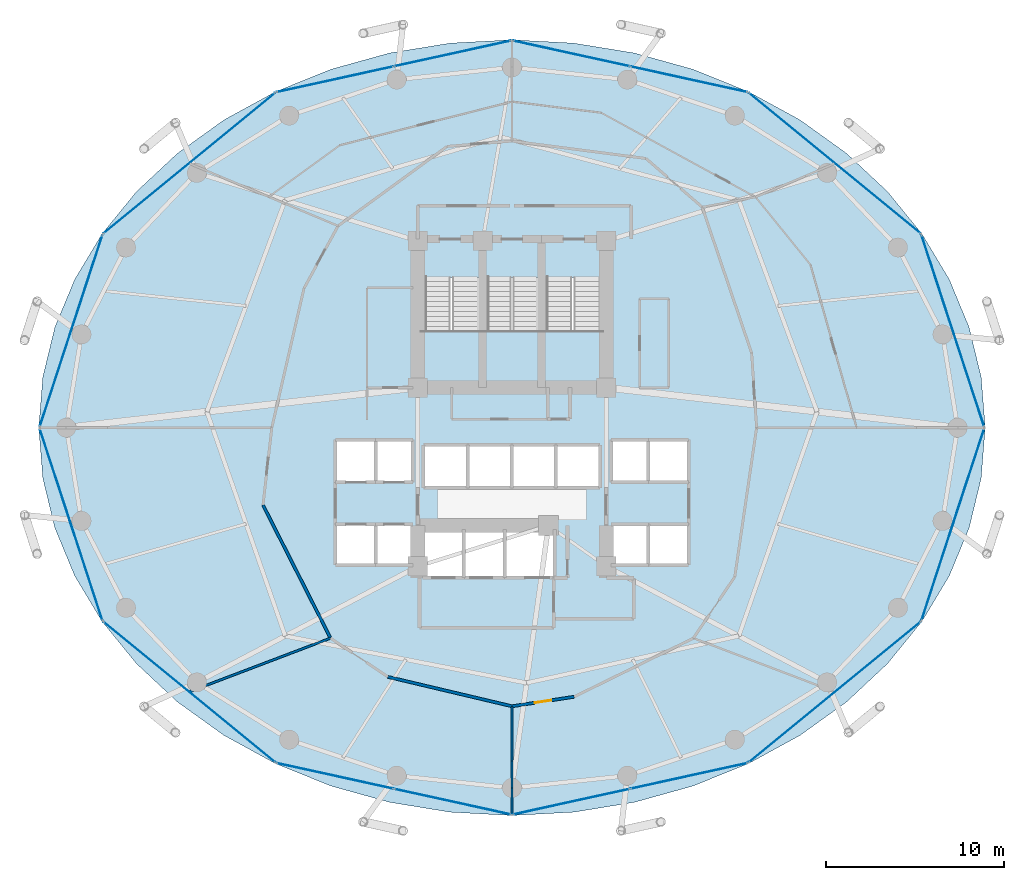
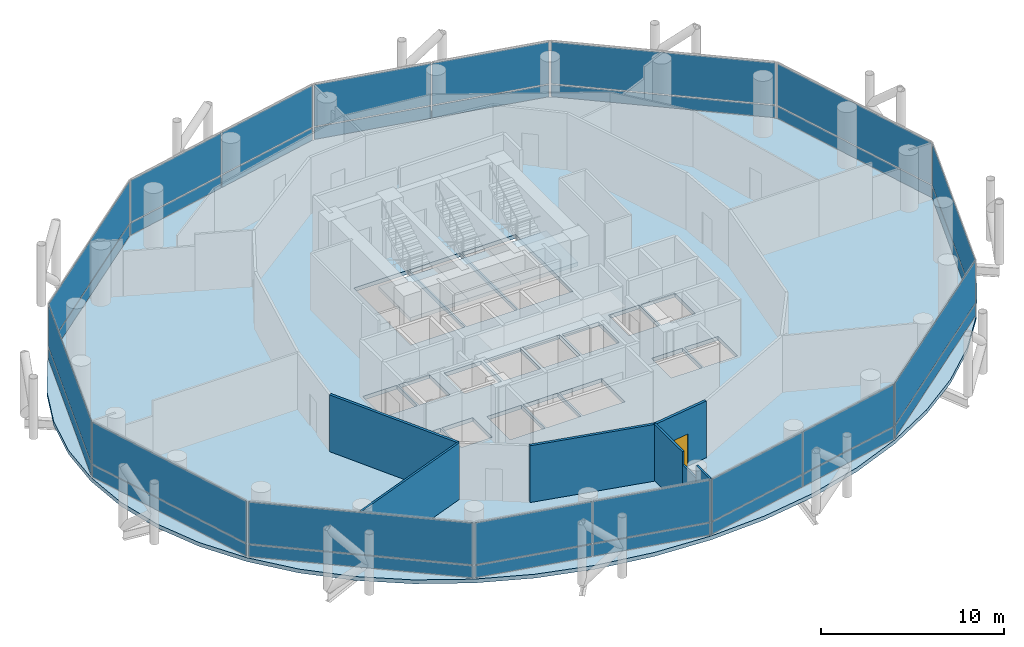
# One storey, part 20 of 25: 32 plates, 7 walls, 4 slabs, 1 door, 1 opening, 15 elements without a shape of their own.
"""IFC4 building model written with IfcOpenShell, lengths in metres."""

from ifc_helpers import new_model, si_unit, direction, frame, frame_2d, origin, origin_2d, place, context, subcontext, project, spatial, polyline, rectangle, outline, extrude, material, layer, layer_set, type_object, element, fill, aggregate, save


model = new_model("IFC4")

# Units and contexts
model_context = context("Model", 3, precision=1e-05, world=origin(), true_north=direction((0.0, 1.0)))
body_context = subcontext(model_context, "Body", "Model", "MODEL_VIEW")
ifc_project = project(units=[si_unit("LENGTHUNIT", "METRE"), si_unit("AREAUNIT", "SQUARE_METRE"), si_unit("VOLUMEUNIT", "CUBIC_METRE"), si_unit("PLANEANGLEUNIT", "RADIAN"), si_unit("MASSUNIT", "GRAM", prefix="KILO")], contexts=[model_context])

# Site, building, storey
site_placement = place(None, origin())
site = spatial("IfcSite", under=ifc_project, at=site_placement, CompositionType="ELEMENT")
building_placement = place(site_placement, origin())
building = spatial("IfcBuilding", under=site, at=building_placement, Name="Nuhasar Tower", CompositionType="ELEMENT")
storey_placement = place(building_placement, frame((0.0, 0.0, 45.300048828125)))
storey = spatial("IfcBuildingStorey", under=building, at=storey_placement, Name="L10", CompositionType="ELEMENT", Elevation=45.300048828125)

# Curtain wall, plate
ifc_material_1 = material(Name="Aluminium 6063-T6", Category="aluminium")
ifc_layer_1 = layer(ifc_material_1, 0.199951171875)
ifc_layer_set_1 = layer_set([ifc_layer_1], Name="Aluminium 6063-T6")
curtain_wall_type = type_object("IfcCurtainWallType", Name="CW-Z1-OFF", PredefinedType="NOTDEFINED", material=ifc_layer_set_1)
curtain_wall_1_placement = place(storey_placement, origin())
curtain_wall_1 = element("IfcCurtainWall", 1, at=curtain_wall_1_placement, inside=storey, type_object=curtain_wall_type, Name="L10 Unitised Curtain Wall 01", PredefinedType="NOTDEFINED")
ifc_material_2 = material(Name="Glass Double Low-E", Category="glass")
ifc_layer_2 = layer(ifc_material_2, 0.028076171875)
ifc_layer_set_2 = layer_set([ifc_layer_2], Name="Glass Double Low-E")
plate_type_1 = type_object("IfcPlateType", Name="CW-PANEL-GLZ", PredefinedType="CURTAIN_PANEL", material=ifc_layer_set_2)
plate_1_placement = place(storey_placement, frame((63.781005859375, 32.239990234375, 0.932373046875), z_axis=(0.0, 0.0, 1.0), x_axis=(-0.310823849997, 0.950467534571, 0.0)))
plate_1 = element("IfcPlate", 2, at=plate_1_placement, type_object=plate_type_1, Name="CW-Z1 panel 1.2", PredefinedType="CURTAIN_PANEL", context=body_context, shape_type="SweptSolid", body=[
    extrude(rectangle(XDim=11.31689453125, YDim=0.028076171875, at=origin_2d()), origin(), (0.0, 0.0, 1.0), 2.79248046875),
])

curtain_wall_2_placement = place(storey_placement, origin())
curtain_wall_2 = element("IfcCurtainWall", 3, at=curtain_wall_2_placement, inside=storey, type_object=curtain_wall_type, Name="L10 Unitised Curtain Wall 02", PredefinedType="NOTDEFINED")
plate_2_placement = place(storey_placement, frame((57.14111328125, 41.66259765625, 0.932373046875), z_axis=(0.0, 0.0, 1.0), x_axis=(-0.773542364946, 0.633744593376, 0.0)))
plate_2 = element("IfcPlate", 4, at=plate_2_placement, type_object=plate_type_1, Name="CW-Z1 panel 1.2", PredefinedType="CURTAIN_PANEL", context=body_context, shape_type="SweptSolid", body=[
    extrude(rectangle(XDim=12.438232421875, YDim=0.028076171875, at=origin_2d()), origin(), (0.0, 0.0, 1.0), 2.79248046875),
])

# Curtain wall, plates
curtain_wall_3_placement = place(storey_placement, origin())
curtain_wall_3 = element("IfcCurtainWall", 5, at=curtain_wall_3_placement, inside=storey, type_object=curtain_wall_type, Name="L10 Unitised Curtain Wall 03", PredefinedType="NOTDEFINED")
plate_3_placement = place(storey_placement, frame((48.944091796875, 46.377197265625, 0.932373046875), z_axis=(0.0, 0.0, 1.0), x_axis=(-0.976746221544, 0.214398737637, 0.0)))
plate_3 = element("IfcPlate", 6, at=plate_3_placement, type_object=plate_type_1, Name="CW-Z1 panel 1.2", PredefinedType="CURTAIN_PANEL", context=body_context, shape_type="SweptSolid", body=[
    extrude(rectangle(XDim=6.70068359375, YDim=0.028076171875, at=origin_2d()), origin(), (0.0, 0.0, 1.0), 2.79248046875),
])
plate_4_placement = place(storey_placement, frame((42.3359375, 47.827880859375, 0.932373046875), z_axis=(0.0, 0.0, 1.0), x_axis=(-0.976746221544, 0.214398737637, 0.0)))
plate_4 = element("IfcPlate", 7, at=plate_4_placement, type_object=plate_type_1, Name="CW-Z1 panel 2.2", PredefinedType="CURTAIN_PANEL", context=body_context, shape_type="SweptSolid", body=[
    extrude(rectangle(XDim=6.70068359375, YDim=0.028076171875, at=origin_2d()), origin(), (0.0, 0.0, 1.0), 2.79248046875),
])

curtain_wall_4_placement = place(storey_placement, origin())
curtain_wall_4 = element("IfcCurtainWall", 8, at=curtain_wall_4_placement, inside=storey, type_object=curtain_wall_type, Name="L10 Unitised Curtain Wall 04", PredefinedType="NOTDEFINED")
plate_5_placement = place(storey_placement, frame((35.6640625, 47.827880859375, 0.932373046875), z_axis=(0.0, 0.0, 1.0), x_axis=(-0.976746221544, -0.214398737637, 0.0)))
plate_5 = element("IfcPlate", 9, at=plate_5_placement, type_object=plate_type_1, Name="CW-Z1 panel 1.2", PredefinedType="CURTAIN_PANEL", context=body_context, shape_type="SweptSolid", body=[
    extrude(rectangle(XDim=6.70068359375, YDim=0.028076171875, at=origin_2d()), origin(), (0.0, 0.0, 1.0), 2.79248046875),
])
plate_6_placement = place(storey_placement, frame((29.055908203125, 46.377197265625, 0.932373046875), z_axis=(0.0, 0.0, 1.0), x_axis=(-0.976746221544, -0.214398737637, 0.0)))
plate_6 = element("IfcPlate", 10, at=plate_6_placement, type_object=plate_type_1, Name="CW-Z1 panel 2.2", PredefinedType="CURTAIN_PANEL", context=body_context, shape_type="SweptSolid", body=[
    extrude(rectangle(XDim=6.70068359375, YDim=0.028076171875, at=origin_2d()), origin(), (0.0, 0.0, 1.0), 2.79248046875),
])

# Curtain wall, plate
curtain_wall_5_placement = place(storey_placement, origin())
curtain_wall_5 = element("IfcCurtainWall", 11, at=curtain_wall_5_placement, inside=storey, type_object=curtain_wall_type, Name="L10 Unitised Curtain Wall 05", PredefinedType="NOTDEFINED")
plate_7_placement = place(storey_placement, frame((20.85888671875, 41.66259765625, 0.932373046875), z_axis=(0.0, 0.0, 1.0), x_axis=(-0.773542364946, -0.633744593376, 0.0)))
plate_7 = element("IfcPlate", 12, at=plate_7_placement, type_object=plate_type_1, Name="CW-Z1 panel 1.2", PredefinedType="CURTAIN_PANEL", context=body_context, shape_type="SweptSolid", body=[
    extrude(rectangle(XDim=12.438232421875, YDim=0.028076171875, at=origin_2d()), origin(), (0.0, 0.0, 1.0), 2.79248046875),
])

curtain_wall_6_placement = place(storey_placement, origin())
curtain_wall_6 = element("IfcCurtainWall", 13, at=curtain_wall_6_placement, inside=storey, type_object=curtain_wall_type, Name="L10 Unitised Curtain Wall 06", PredefinedType="NOTDEFINED")
plate_8_placement = place(storey_placement, frame((14.218994140625, 32.239990234375, 0.932373046875), z_axis=(0.0, 0.0, 1.0), x_axis=(-0.310823849997, -0.950467534571, 0.0)))
plate_8 = element("IfcPlate", 14, at=plate_8_placement, type_object=plate_type_1, Name="CW-Z1 panel 1.2", PredefinedType="CURTAIN_PANEL", context=body_context, shape_type="SweptSolid", body=[
    extrude(rectangle(XDim=11.31689453125, YDim=0.028076171875, at=origin_2d()), origin(), (0.0, 0.0, 1.0), 2.79248046875),
])

curtain_wall_7_placement = place(storey_placement, origin())
curtain_wall_7 = element("IfcCurtainWall", 15, at=curtain_wall_7_placement, inside=storey, type_object=curtain_wall_type, Name="L10 Unitised Curtain Wall 07", PredefinedType="NOTDEFINED")
plate_9_placement = place(storey_placement, frame((14.218994140625, 21.360107421875, 0.932373046875), z_axis=(0.0, 0.0, 1.0), x_axis=(0.310823849997, -0.950467534571, 0.0)))
plate_9 = element("IfcPlate", 16, at=plate_9_placement, type_object=plate_type_1, Name="CW-Z1 panel 1.2", PredefinedType="CURTAIN_PANEL", context=body_context, shape_type="SweptSolid", body=[
    extrude(rectangle(XDim=11.31689453125, YDim=0.028076171875, at=origin_2d()), origin(), (0.0, 0.0, 1.0), 2.79248046875),
])

curtain_wall_8_placement = place(storey_placement, origin())
curtain_wall_8 = element("IfcCurtainWall", 17, at=curtain_wall_8_placement, inside=storey, type_object=curtain_wall_type, Name="L10 Unitised Curtain Wall 08", PredefinedType="NOTDEFINED")
plate_10_placement = place(storey_placement, frame((20.85888671875, 11.9375, 0.932373046875), z_axis=(0.0, 0.0, 1.0), x_axis=(0.773542364946, -0.633744593376, 0.0)))
plate_10 = element("IfcPlate", 18, at=plate_10_placement, type_object=plate_type_1, Name="CW-Z1 panel 1.2", PredefinedType="CURTAIN_PANEL", context=body_context, shape_type="SweptSolid", body=[
    extrude(rectangle(XDim=12.438232421875, YDim=0.028076171875, at=origin_2d()), origin(), (0.0, 0.0, 1.0), 2.79248046875),
])

# Curtain wall, plates
curtain_wall_9_placement = place(storey_placement, origin())
curtain_wall_9 = element("IfcCurtainWall", 19, at=curtain_wall_9_placement, inside=storey, type_object=curtain_wall_type, Name="L10 Unitised Curtain Wall 09", PredefinedType="NOTDEFINED")
plate_11_placement = place(storey_placement, frame((29.055908203125, 7.22265625, 0.932373046875), z_axis=(0.0, 0.0, 1.0), x_axis=(0.976746221544, -0.214398737637, 0.0)))
plate_11 = element("IfcPlate", 20, at=plate_11_placement, type_object=plate_type_1, Name="CW-Z1 panel 1.2", PredefinedType="CURTAIN_PANEL", context=body_context, shape_type="SweptSolid", body=[
    extrude(rectangle(XDim=6.70068359375, YDim=0.028076171875, at=origin_2d()), origin(), (0.0, 0.0, 1.0), 2.79248046875),
])
plate_12_placement = place(storey_placement, frame((35.6640625, 5.772216796875, 0.932373046875), z_axis=(0.0, 0.0, 1.0), x_axis=(0.976746221544, -0.214398737637, 0.0)))
plate_12 = element("IfcPlate", 21, at=plate_12_placement, type_object=plate_type_1, Name="CW-Z1 panel 2.2", PredefinedType="CURTAIN_PANEL", context=body_context, shape_type="SweptSolid", body=[
    extrude(rectangle(XDim=6.70068359375, YDim=0.028076171875, at=origin_2d()), origin(), (0.0, 0.0, 1.0), 2.79248046875),
])

curtain_wall_10_placement = place(storey_placement, origin())
curtain_wall_10 = element("IfcCurtainWall", 22, at=curtain_wall_10_placement, inside=storey, type_object=curtain_wall_type, Name="L10 Unitised Curtain Wall 10", PredefinedType="NOTDEFINED")
plate_13_placement = place(storey_placement, frame((42.3359375, 5.772216796875, 0.932373046875), z_axis=(0.0, 0.0, 1.0), x_axis=(0.976746221544, 0.214398737637, 0.0)))
plate_13 = element("IfcPlate", 23, at=plate_13_placement, type_object=plate_type_1, Name="CW-Z1 panel 1.2", PredefinedType="CURTAIN_PANEL", context=body_context, shape_type="SweptSolid", body=[
    extrude(rectangle(XDim=6.70068359375, YDim=0.028076171875, at=origin_2d()), origin(), (0.0, 0.0, 1.0), 2.79248046875),
])
plate_14_placement = place(storey_placement, frame((48.944091796875, 7.22265625, 0.932373046875), z_axis=(0.0, 0.0, 1.0), x_axis=(0.976746221544, 0.214398737637, 0.0)))
plate_14 = element("IfcPlate", 24, at=plate_14_placement, type_object=plate_type_1, Name="CW-Z1 panel 2.2", PredefinedType="CURTAIN_PANEL", context=body_context, shape_type="SweptSolid", body=[
    extrude(rectangle(XDim=6.70068359375, YDim=0.028076171875, at=origin_2d()), origin(), (0.0, 0.0, 1.0), 2.79248046875),
])

# Curtain wall, plate
curtain_wall_11_placement = place(storey_placement, origin())
curtain_wall_11 = element("IfcCurtainWall", 25, at=curtain_wall_11_placement, inside=storey, type_object=curtain_wall_type, Name="L10 Unitised Curtain Wall 11", PredefinedType="NOTDEFINED")
plate_15_placement = place(storey_placement, frame((57.14111328125, 11.9375, 0.932373046875), z_axis=(0.0, 0.0, 1.0), x_axis=(0.773542364946, 0.633744593376, 0.0)))
plate_15 = element("IfcPlate", 26, at=plate_15_placement, type_object=plate_type_1, Name="CW-Z1 panel 1.2", PredefinedType="CURTAIN_PANEL", context=body_context, shape_type="SweptSolid", body=[
    extrude(rectangle(XDim=12.438232421875, YDim=0.028076171875, at=origin_2d()), origin(), (0.0, 0.0, 1.0), 2.79248046875),
])

curtain_wall_12_placement = place(storey_placement, origin())
curtain_wall_12 = element("IfcCurtainWall", 27, at=curtain_wall_12_placement, inside=storey, type_object=curtain_wall_type, Name="L10 Unitised Curtain Wall 12", PredefinedType="NOTDEFINED")
plate_16_placement = place(storey_placement, frame((63.781005859375, 21.360107421875, 0.932373046875), z_axis=(0.0, 0.0, 1.0), x_axis=(0.310823849997, 0.950467534571, 0.0)))
plate_16 = element("IfcPlate", 28, at=plate_16_placement, type_object=plate_type_1, Name="CW-Z1 panel 1.2", PredefinedType="CURTAIN_PANEL", context=body_context, shape_type="SweptSolid", body=[
    extrude(rectangle(XDim=11.31689453125, YDim=0.028076171875, at=origin_2d()), origin(), (0.0, 0.0, 1.0), 2.79248046875),
])

# Plate
ifc_material_3 = material(Name="Glass Spandrel", Category="glass")
ifc_layer_3 = layer(ifc_material_3, 0.035888671875)
ifc_layer_set_3 = layer_set([ifc_layer_3], Name="Glass Spandrel")
plate_type_2 = type_object("IfcPlateType", Name="CW-PANEL-SPN", PredefinedType="CURTAIN_PANEL", material=ifc_layer_set_3)
plate_17_placement = place(storey_placement, frame((63.781005859375, 32.239990234375, 0.06494140625), z_axis=(0.0, 0.0, 1.0), x_axis=(-0.310823849997, 0.950467534571, 0.0)))
plate_17 = element("IfcPlate", 29, at=plate_17_placement, type_object=plate_type_2, Name="CW-Z1 panel 1.1", PredefinedType="CURTAIN_PANEL", context=body_context, shape_type="SweptSolid", body=[
    extrude(rectangle(XDim=11.31689453125, YDim=0.035888671875, at=origin_2d()), origin(), (0.0, 0.0, 1.0), 0.802490234375),
])

aggregate(curtain_wall_1, [plate_17, plate_1])

plate_18_placement = place(storey_placement, frame((57.14111328125, 41.66259765625, 0.06494140625), z_axis=(0.0, 0.0, 1.0), x_axis=(-0.773542364946, 0.633744593376, 0.0)))
plate_18 = element("IfcPlate", 30, at=plate_18_placement, type_object=plate_type_2, Name="CW-Z1 panel 1.1", PredefinedType="CURTAIN_PANEL", context=body_context, shape_type="SweptSolid", body=[
    extrude(rectangle(XDim=12.438232421875, YDim=0.035888671875, at=origin_2d()), origin(), (0.0, 0.0, 1.0), 0.802490234375),
])

aggregate(curtain_wall_2, [plate_18, plate_2])

plate_19_placement = place(storey_placement, frame((48.944091796875, 46.377197265625, 0.06494140625), z_axis=(0.0, 0.0, 1.0), x_axis=(-0.976746221544, 0.214398737637, 0.0)))
plate_19 = element("IfcPlate", 31, at=plate_19_placement, type_object=plate_type_2, Name="CW-Z1 panel 1.1", PredefinedType="CURTAIN_PANEL", context=body_context, shape_type="SweptSolid", body=[
    extrude(rectangle(XDim=6.70068359375, YDim=0.035888671875, at=origin_2d()), origin(), (0.0, 0.0, 1.0), 0.802490234375),
])

plate_20_placement = place(storey_placement, frame((42.3359375, 47.827880859375, 0.06494140625), z_axis=(0.0, 0.0, 1.0), x_axis=(-0.976746221544, 0.214398737637, 0.0)))
plate_20 = element("IfcPlate", 32, at=plate_20_placement, type_object=plate_type_2, Name="CW-Z1 panel 2.1", PredefinedType="CURTAIN_PANEL", context=body_context, shape_type="SweptSolid", body=[
    extrude(rectangle(XDim=6.70068359375, YDim=0.035888671875, at=origin_2d()), origin(), (0.0, 0.0, 1.0), 0.802490234375),
])

aggregate(curtain_wall_3, [plate_19, plate_3, plate_20, plate_4])

plate_21_placement = place(storey_placement, frame((35.6640625, 47.827880859375, 0.06494140625), z_axis=(0.0, 0.0, 1.0), x_axis=(-0.976746221544, -0.214398737637, 0.0)))
plate_21 = element("IfcPlate", 33, at=plate_21_placement, type_object=plate_type_2, Name="CW-Z1 panel 1.1", PredefinedType="CURTAIN_PANEL", context=body_context, shape_type="SweptSolid", body=[
    extrude(rectangle(XDim=6.70068359375, YDim=0.035888671875, at=origin_2d()), origin(), (0.0, 0.0, 1.0), 0.802490234375),
])

plate_22_placement = place(storey_placement, frame((29.055908203125, 46.377197265625, 0.06494140625), z_axis=(0.0, 0.0, 1.0), x_axis=(-0.976746221544, -0.214398737637, 0.0)))
plate_22 = element("IfcPlate", 34, at=plate_22_placement, type_object=plate_type_2, Name="CW-Z1 panel 2.1", PredefinedType="CURTAIN_PANEL", context=body_context, shape_type="SweptSolid", body=[
    extrude(rectangle(XDim=6.70068359375, YDim=0.035888671875, at=origin_2d()), origin(), (0.0, 0.0, 1.0), 0.802490234375),
])

aggregate(curtain_wall_4, [plate_21, plate_5, plate_22, plate_6])

plate_23_placement = place(storey_placement, frame((20.85888671875, 41.66259765625, 0.06494140625), z_axis=(0.0, 0.0, 1.0), x_axis=(-0.773542364946, -0.633744593376, 0.0)))
plate_23 = element("IfcPlate", 35, at=plate_23_placement, type_object=plate_type_2, Name="CW-Z1 panel 1.1", PredefinedType="CURTAIN_PANEL", context=body_context, shape_type="SweptSolid", body=[
    extrude(rectangle(XDim=12.438232421875, YDim=0.035888671875, at=origin_2d()), origin(), (0.0, 0.0, 1.0), 0.802490234375),
])

aggregate(curtain_wall_5, [plate_23, plate_7])

plate_24_placement = place(storey_placement, frame((14.218994140625, 32.239990234375, 0.06494140625), z_axis=(0.0, 0.0, 1.0), x_axis=(-0.310823849997, -0.950467534571, 0.0)))
plate_24 = element("IfcPlate", 36, at=plate_24_placement, type_object=plate_type_2, Name="CW-Z1 panel 1.1", PredefinedType="CURTAIN_PANEL", context=body_context, shape_type="SweptSolid", body=[
    extrude(rectangle(XDim=11.31689453125, YDim=0.035888671875, at=origin_2d()), origin(), (0.0, 0.0, 1.0), 0.802490234375),
])

aggregate(curtain_wall_6, [plate_24, plate_8])

plate_25_placement = place(storey_placement, frame((14.218994140625, 21.360107421875, 0.06494140625), z_axis=(0.0, 0.0, 1.0), x_axis=(0.310823849997, -0.950467534571, 0.0)))
plate_25 = element("IfcPlate", 37, at=plate_25_placement, type_object=plate_type_2, Name="CW-Z1 panel 1.1", PredefinedType="CURTAIN_PANEL", context=body_context, shape_type="SweptSolid", body=[
    extrude(rectangle(XDim=11.31689453125, YDim=0.035888671875, at=origin_2d()), origin(), (0.0, 0.0, 1.0), 0.802490234375),
])

aggregate(curtain_wall_7, [plate_25, plate_9])

plate_26_placement = place(storey_placement, frame((20.85888671875, 11.9375, 0.06494140625), z_axis=(0.0, 0.0, 1.0), x_axis=(0.773542364946, -0.633744593376, 0.0)))
plate_26 = element("IfcPlate", 38, at=plate_26_placement, type_object=plate_type_2, Name="CW-Z1 panel 1.1", PredefinedType="CURTAIN_PANEL", context=body_context, shape_type="SweptSolid", body=[
    extrude(rectangle(XDim=12.438232421875, YDim=0.035888671875, at=origin_2d()), origin(), (0.0, 0.0, 1.0), 0.802490234375),
])

aggregate(curtain_wall_8, [plate_26, plate_10])

plate_27_placement = place(storey_placement, frame((29.055908203125, 7.22265625, 0.06494140625), z_axis=(0.0, 0.0, 1.0), x_axis=(0.976746221544, -0.214398737637, 0.0)))
plate_27 = element("IfcPlate", 39, at=plate_27_placement, type_object=plate_type_2, Name="CW-Z1 panel 1.1", PredefinedType="CURTAIN_PANEL", context=body_context, shape_type="SweptSolid", body=[
    extrude(rectangle(XDim=6.70068359375, YDim=0.035888671875, at=origin_2d()), origin(), (0.0, 0.0, 1.0), 0.802490234375),
])

plate_28_placement = place(storey_placement, frame((35.6640625, 5.772216796875, 0.06494140625), z_axis=(0.0, 0.0, 1.0), x_axis=(0.976746221544, -0.214398737637, 0.0)))
plate_28 = element("IfcPlate", 40, at=plate_28_placement, type_object=plate_type_2, Name="CW-Z1 panel 2.1", PredefinedType="CURTAIN_PANEL", context=body_context, shape_type="SweptSolid", body=[
    extrude(rectangle(XDim=6.70068359375, YDim=0.035888671875, at=origin_2d()), origin(), (0.0, 0.0, 1.0), 0.802490234375),
])

aggregate(curtain_wall_9, [plate_27, plate_11, plate_28, plate_12])

plate_29_placement = place(storey_placement, frame((42.3359375, 5.772216796875, 0.06494140625), z_axis=(0.0, 0.0, 1.0), x_axis=(0.976746221544, 0.214398737637, 0.0)))
plate_29 = element("IfcPlate", 41, at=plate_29_placement, type_object=plate_type_2, Name="CW-Z1 panel 1.1", PredefinedType="CURTAIN_PANEL", context=body_context, shape_type="SweptSolid", body=[
    extrude(rectangle(XDim=6.70068359375, YDim=0.035888671875, at=origin_2d()), origin(), (0.0, 0.0, 1.0), 0.802490234375),
])

plate_30_placement = place(storey_placement, frame((48.944091796875, 7.22265625, 0.06494140625), z_axis=(0.0, 0.0, 1.0), x_axis=(0.976746221544, 0.214398737637, 0.0)))
plate_30 = element("IfcPlate", 42, at=plate_30_placement, type_object=plate_type_2, Name="CW-Z1 panel 2.1", PredefinedType="CURTAIN_PANEL", context=body_context, shape_type="SweptSolid", body=[
    extrude(rectangle(XDim=6.70068359375, YDim=0.035888671875, at=origin_2d()), origin(), (0.0, 0.0, 1.0), 0.802490234375),
])

aggregate(curtain_wall_10, [plate_29, plate_13, plate_30, plate_14])

plate_31_placement = place(storey_placement, frame((57.14111328125, 11.9375, 0.06494140625), z_axis=(0.0, 0.0, 1.0), x_axis=(0.773542364946, 0.633744593376, 0.0)))
plate_31 = element("IfcPlate", 43, at=plate_31_placement, type_object=plate_type_2, Name="CW-Z1 panel 1.1", PredefinedType="CURTAIN_PANEL", context=body_context, shape_type="SweptSolid", body=[
    extrude(rectangle(XDim=12.438232421875, YDim=0.035888671875, at=origin_2d()), origin(), (0.0, 0.0, 1.0), 0.802490234375),
])

aggregate(curtain_wall_11, [plate_31, plate_15])

plate_32_placement = place(storey_placement, frame((63.781005859375, 21.360107421875, 0.06494140625), z_axis=(0.0, 0.0, 1.0), x_axis=(0.310823849997, 0.950467534571, 0.0)))
plate_32 = element("IfcPlate", 44, at=plate_32_placement, type_object=plate_type_2, Name="CW-Z1 panel 1.1", PredefinedType="CURTAIN_PANEL", context=body_context, shape_type="SweptSolid", body=[
    extrude(rectangle(XDim=11.31689453125, YDim=0.035888671875, at=origin_2d()), origin(), (0.0, 0.0, 1.0), 0.802490234375),
])

aggregate(curtain_wall_12, [plate_32, plate_16])

# Stair, slab
ifc_material_4 = material(Name="Concrete C45/55", Category="concrete")
stair_type_1 = type_object("IfcStairType", Name="STR-ST-01-2F-24R-1688", PredefinedType="HALF_TURN_STAIR", material=ifc_material_4)
stair_1_placement = place(storey_placement, origin())
stair_1 = element("IfcStair", 45, at=stair_1_placement, inside=storey, type_object=stair_type_1, Name="L10 Exit Stair ST-01", PredefinedType="HALF_TURN_STAIR")
ifc_layer_4 = layer(ifc_material_4, 0.239990234375)
ifc_layer_set_4 = layer_set([ifc_layer_4], Name="Concrete C45/55")
slab_type_1 = type_object("IfcSlabType", Name="SLB-STAIR-LND-240", PredefinedType="LANDING", material=ifc_layer_set_4)
slab_1_placement = place(storey_placement, frame((0.0, 0.0, 1.784912109375)))
slab_1 = element("IfcSlab", 46, at=slab_1_placement, type_object=slab_type_1, Name="ST-01 landing 1", PredefinedType="LANDING", context=body_context, shape_type="SweptSolid", body=[
    extrude(outline(polyline([(33.699951171875, 28.75), (37.35009765625, 28.75), (37.35009765625, 32.239990234375), (33.699951171875, 32.239990234375), (33.699951171875, 28.75)])), origin(), (0.0, 0.0, 1.0), 0.239990234375),
])
aggregate(stair_1, [slab_1])

stair_type_2 = type_object("IfcStairType", Name="STR-ST-03-2F-24R-1688", PredefinedType="HALF_TURN_STAIR", material=ifc_material_4)
stair_2_placement = place(storey_placement, origin())
stair_2 = element("IfcStair", 47, at=stair_2_placement, inside=storey, type_object=stair_type_2, Name="L10 Exit Stair ST-03", PredefinedType="HALF_TURN_STAIR")
slab_2_placement = place(storey_placement, frame((0.0, 0.0, 1.784912109375)))
slab_2 = element("IfcSlab", 48, at=slab_2_placement, type_object=slab_type_1, Name="ST-03 landing 1", PredefinedType="LANDING", context=body_context, shape_type="SweptSolid", body=[
    extrude(outline(polyline([(37.35009765625, 28.75), (40.64990234375, 28.75), (40.64990234375, 32.239990234375), (37.35009765625, 32.239990234375), (37.35009765625, 28.75)])), origin(), (0.0, 0.0, 1.0), 0.239990234375),
])
aggregate(stair_2, [slab_2])

stair_type_3 = type_object("IfcStairType", Name="STR-ST-02-2F-24R-1688", PredefinedType="HALF_TURN_STAIR", material=ifc_material_4)
stair_3_placement = place(storey_placement, origin())
stair_3 = element("IfcStair", 49, at=stair_3_placement, inside=storey, type_object=stair_type_3, Name="L10 Exit Stair ST-02", PredefinedType="HALF_TURN_STAIR")
slab_3_placement = place(storey_placement, frame((0.0, 0.0, 1.784912109375)))
slab_3 = element("IfcSlab", 50, at=slab_3_placement, type_object=slab_type_1, Name="ST-02 landing 1", PredefinedType="LANDING", context=body_context, shape_type="SweptSolid", body=[
    extrude(outline(polyline([(40.64990234375, 28.75), (44.300048828125, 28.75), (44.300048828125, 32.239990234375), (40.64990234375, 32.239990234375), (40.64990234375, 28.75)])), origin(), (0.0, 0.0, 1.0), 0.239990234375),
])
aggregate(stair_3, [slab_3])

# Slab
ifc_material_5 = material(Name="Concrete C50/60", Category="concrete")
ifc_layer_5 = layer(ifc_material_5, 0.260009765625)
ifc_layer_set_5 = layer_set([ifc_layer_5], Name="Concrete C50/60")
slab_type_2 = type_object("IfcSlabType", Name="SLB-Z1A-260", PredefinedType="FLOOR", material=ifc_layer_set_5)
slab_4_placement = place(storey_placement, frame((0.0, 0.0, -0.260009765625)))
element("IfcSlab", 51, at=slab_4_placement, inside=storey, type_object=slab_type_2, Name="L10 Structural Slab", PredefinedType="FLOOR", context=body_context, shape_type="SweptSolid", body=[
    extrude(outline(polyline([(65.60009765625, 26.800048828125), (65.3720703125, 29.64501953125), (64.694091796875, 32.44189453125), (63.574951171875, 35.14208984375), (62.035888671875, 37.699951171875), (60.10302734375, 40.071044921875), (57.80908203125, 42.215087890625), (55.193115234375, 44.094970703125), (52.300048828125, 45.678955078125), (49.178955078125, 46.94091796875), (45.885009765625, 47.85693359375), (42.471923828125, 48.4130859375), (39.0, 48.60009765625), (35.528076171875, 48.4130859375), (32.114990234375, 47.85693359375), (28.821044921875, 46.94091796875), (25.699951171875, 45.678955078125), (22.806884765625, 44.094970703125), (20.19091796875, 42.215087890625), (17.89697265625, 40.071044921875), (15.964111328125, 37.699951171875), (14.425048828125, 35.14208984375), (13.305908203125, 32.44189453125), (12.6279296875, 29.64501953125), (12.39990234375, 26.800048828125), (12.6279296875, 23.955078125), (13.305908203125, 21.157958984375), (14.425048828125, 18.4580078125), (15.964111328125, 15.89990234375), (17.89697265625, 13.529052734375), (20.19091796875, 11.385009765625), (22.806884765625, 9.5048828125), (25.699951171875, 7.9208984375), (28.821044921875, 6.658935546875), (32.114990234375, 5.742919921875), (35.528076171875, 5.18701171875), (39.0, 5.0), (42.471923828125, 5.18701171875), (45.885009765625, 5.742919921875), (49.178955078125, 6.658935546875), (52.300048828125, 7.9208984375), (55.193115234375, 9.5048828125), (57.80908203125, 11.385009765625), (60.10302734375, 13.529052734375), (62.035888671875, 15.89990234375), (63.574951171875, 18.4580078125), (64.694091796875, 21.157958984375), (65.3720703125, 23.955078125), (65.60009765625, 26.800048828125)]), holes=[polyline([(33.8798828125, 35.25), (37.300048828125, 35.25), (37.300048828125, 29.0), (33.8798828125, 29.0), (33.8798828125, 35.25)]), polyline([(37.39990234375, 35.25), (40.60009765625, 35.25), (40.60009765625, 29.0), (37.39990234375, 29.0), (37.39990234375, 35.25)]), polyline([(40.699951171875, 35.25), (44.1201171875, 35.25), (44.1201171875, 29.0), (40.699951171875, 29.0), (40.699951171875, 35.25)]), polyline([(29.14990234375, 26.050048828125), (31.300048828125, 26.050048828125), (31.300048828125, 23.800048828125), (29.14990234375, 23.800048828125), (29.14990234375, 26.050048828125)]), polyline([(31.39990234375, 26.050048828125), (33.35009765625, 26.050048828125), (33.35009765625, 23.800048828125), (31.39990234375, 23.800048828125), (31.39990234375, 26.050048828125)]), polyline([(29.14990234375, 21.300048828125), (31.300048828125, 21.300048828125), (31.300048828125, 19.14990234375), (29.14990234375, 19.14990234375), (29.14990234375, 21.300048828125)]), polyline([(31.39990234375, 21.300048828125), (33.35009765625, 21.300048828125), (33.35009765625, 19.14990234375), (31.39990234375, 19.14990234375), (31.39990234375, 21.300048828125)]), polyline([(44.64990234375, 26.050048828125), (46.60009765625, 26.050048828125), (46.60009765625, 23.800048828125), (44.64990234375, 23.800048828125), (44.64990234375, 26.050048828125)]), polyline([(46.699951171875, 26.050048828125), (48.85009765625, 26.050048828125), (48.85009765625, 23.800048828125), (46.699951171875, 23.800048828125), (46.699951171875, 26.050048828125)]), polyline([(44.64990234375, 21.300048828125), (46.60009765625, 21.300048828125), (46.60009765625, 19.14990234375), (44.64990234375, 19.14990234375), (44.64990234375, 21.300048828125)]), polyline([(46.699951171875, 21.300048828125), (48.85009765625, 21.300048828125), (48.85009765625, 19.14990234375), (46.699951171875, 19.14990234375), (46.699951171875, 21.300048828125)]), polyline([(34.10009765625, 25.75), (36.43994140625, 25.75), (36.43994140625, 23.5), (34.10009765625, 23.5), (34.10009765625, 25.75)]), polyline([(36.580078125, 25.75), (38.919921875, 25.75), (38.919921875, 23.5), (36.580078125, 23.5), (36.580078125, 25.75)]), polyline([(39.06005859375, 25.75), (41.39990234375, 25.75), (41.39990234375, 23.5), (39.06005859375, 23.5), (39.06005859375, 25.75)]), polyline([(41.5400390625, 25.75), (43.8798828125, 25.75), (43.8798828125, 23.5), (41.5400390625, 23.5), (41.5400390625, 25.75)]), polyline([(34.050048828125, 21.0), (36.25, 21.0), (36.25, 18.449951171875), (34.050048828125, 18.449951171875), (34.050048828125, 21.0)]), polyline([(36.35009765625, 21.0), (38.550048828125, 21.0), (38.550048828125, 18.449951171875), (36.35009765625, 18.449951171875), (36.35009765625, 21.0)]), polyline([(38.64990234375, 21.0), (41.320068359375, 21.0), (41.320068359375, 18.449951171875), (38.64990234375, 18.449951171875), (38.64990234375, 21.0)])]), origin(), (0.0, 0.0, 1.0), 0.260009765625),
])

# Walls
ifc_material_6 = material(Name="Gypsum Board", Category="gypsum")
ifc_layer_6 = layer(ifc_material_6, 0.159912109375)
ifc_layer_set_6 = layer_set([ifc_layer_6], Name="Gypsum Board")
wall_type_1 = type_object("IfcWallType", Name="WL-CORR-160", PredefinedType="PARTITIONING", material=ifc_layer_set_6)
wall_1_placement = place(storey_placement, frame((25.0048828125, 22.449951171875, 0.0), z_axis=(0.0, 0.0, 1.0), x_axis=(0.452560985886, -0.8917334546, 0.0)))
element("IfcWall", 52, at=wall_1_placement, inside=storey, type_object=wall_type_1, Name="L10 Interior Partition CORR-26", PredefinedType="PARTITIONING", context=body_context, shape_type="SweptSolid", body=[
    extrude(rectangle(XDim=8.38818359375, YDim=0.159912109375, at=frame_2d((4.194091796875, 0.0))), origin(), (0.0, 0.0, 1.0), 3.7900390625),
])
wall_2_placement = place(storey_placement, frame((32.027099609375, 12.7900390625, 0.0), z_axis=(0.0, 0.0, 1.0), x_axis=(0.973121894952, -0.230290637162, 0.0)))
element("IfcWall", 53, at=wall_2_placement, inside=storey, type_object=wall_type_1, Name="L10 Interior Partition CORR-32", PredefinedType="PARTITIONING", context=body_context, shape_type="SweptSolid", body=[
    extrude(rectangle(XDim=7.16552734375, YDim=0.159912109375, at=frame_2d((3.582763671875, 0.0))), origin(), (0.0, 0.0, 1.0), 3.7900390625),
])

# Wall, opening, door
wall_3_placement = place(storey_placement, frame((42.493896484375, 11.674072265625, 0.0), z_axis=(0.0, 0.0, 1.0), x_axis=(-0.988513405878, -0.151133207467, 0.0)))
wall_3 = element("IfcWall", 54, at=wall_3_placement, inside=storey, type_object=wall_type_1, Name="L10 Interior Partition CORR-36", PredefinedType="PARTITIONING", context=body_context, shape_type="SweptSolid", body=[
    extrude(rectangle(XDim=3.534423828125, YDim=0.159912109375, at=frame_2d((1.76708984375, 0.0))), origin(), (0.0, 0.0, 1.0), 3.7900390625),
])
opening_placement = place(wall_3_placement, frame((1.2919921875, 0.0, 0.0)))
opening = element("IfcOpeningElement", 55, at=opening_placement, cuts=wall_3, Name="Opening DO-01", PredefinedType="OPENING", context=body_context, shape_type="SweptSolid", body=[
    extrude(rectangle(XDim=0.949951171875, YDim=2.14990234375, at=frame_2d((0.47509765625, 1.074951171875))), frame((0.0, 0.08984375, 0.0), z_axis=(0.0, -1.0, 0.0), x_axis=(1.0, 0.0, 0.0)), (0.0, 0.0, 1.0), 0.179931640625),
])
ifc_material_7 = material(Name="Timber Oak", Category="wood")
door_type = type_object("IfcDoorType", Name="DR-OFFICE-FD30-950", OperationType="NOTDEFINED", PredefinedType="DOOR", material=ifc_material_7)
door_placement = place(opening_placement, origin())
door = element("IfcDoor", 56, at=door_placement, inside=storey, type_object=door_type, Name="L10 Legal Chambers D Entry Door", OperationType="SINGLE_SWING_LEFT", OverallHeight=2.14990234375, OverallWidth=0.949951171875, PredefinedType="DOOR", context=body_context, shape_type="SweptSolid", body=[
    extrude(rectangle(XDim=0.949951171875, YDim=2.14990234375, at=frame_2d((0.47509765625, 1.074951171875))), frame((0.0, 0.02490234375, 0.0), z_axis=(0.0, -1.0, 0.0), x_axis=(1.0, 0.0, 0.0)), (0.0, 0.0, 1.0), 0.050048828125),
])
fill(opening, door)

# Walls
ifc_layer_7 = layer(ifc_material_6, 0.125)
ifc_layer_set_7 = layer_set([ifc_layer_7], Name="Gypsum Board")
wall_type_2 = type_object("IfcWallType", Name="WL-PART-125", PredefinedType="PARTITIONING", material=ifc_layer_set_7)
wall_4_placement = place(storey_placement, frame((28.801025390625, 14.969970703125, 0.0), z_axis=(0.0, 0.0, 1.0), x_axis=(-0.934813821548, -0.355138168947, 0.0)))
element("IfcWall", 57, at=wall_4_placement, inside=storey, type_object=wall_type_2, Name="L10 Interior Partition ORAD-30", PredefinedType="PARTITIONING", context=body_context, shape_type="SweptSolid", body=[
    extrude(rectangle(XDim=8.47021484375, YDim=0.125, at=frame_2d((4.235107421875, 0.0))), origin(), (0.0, 0.0, 1.0), 3.7900390625),
])
wall_5_placement = place(storey_placement, frame((39.0, 11.139892578125, 0.0), z_axis=(0.0, 0.0, 1.0), x_axis=(0.0, -1.0, 0.0)))
element("IfcWall", 58, at=wall_5_placement, inside=storey, type_object=wall_type_2, Name="L10 Interior Partition ORAD-36", PredefinedType="PARTITIONING", context=body_context, shape_type="SweptSolid", body=[
    extrude(rectangle(XDim=3.079833984375, YDim=0.125, at=frame_2d((1.5400390625, 0.0))), origin(), (0.0, 0.0, 1.0), 3.7900390625),
])
wall_6_placement = place(storey_placement, frame((39.0, 8.06005859375, 0.0), z_axis=(0.0, 0.0, 1.0), x_axis=(0.0, -1.0, 0.0)))
element("IfcWall", 59, at=wall_6_placement, inside=storey, type_object=wall_type_2, Name="L10 Interior Partition ORAD-36", PredefinedType="PARTITIONING", context=body_context, shape_type="SweptSolid", body=[
    extrude(rectangle(XDim=1.51904296875, YDim=0.125, at=frame_2d((0.759521484375, 0.0))), origin(), (0.0, 0.0, 1.0), 2.929931640625),
])
wall_7_placement = place(storey_placement, frame((39.0, 6.541015625, 0.0), z_axis=(0.0, 0.0, 1.0), x_axis=(0.0, -1.0, 0.0)))
element("IfcWall", 60, at=wall_7_placement, inside=storey, type_object=wall_type_2, Name="L10 Interior Partition ORAD-36", PredefinedType="PARTITIONING", context=body_context, shape_type="SweptSolid", body=[
    extrude(rectangle(XDim=1.466064453125, YDim=0.125, at=frame_2d((0.73291015625, 0.0))), origin(), (0.0, 0.0, 1.0), 3.7900390625),
])

save(model, "model.ifc")
